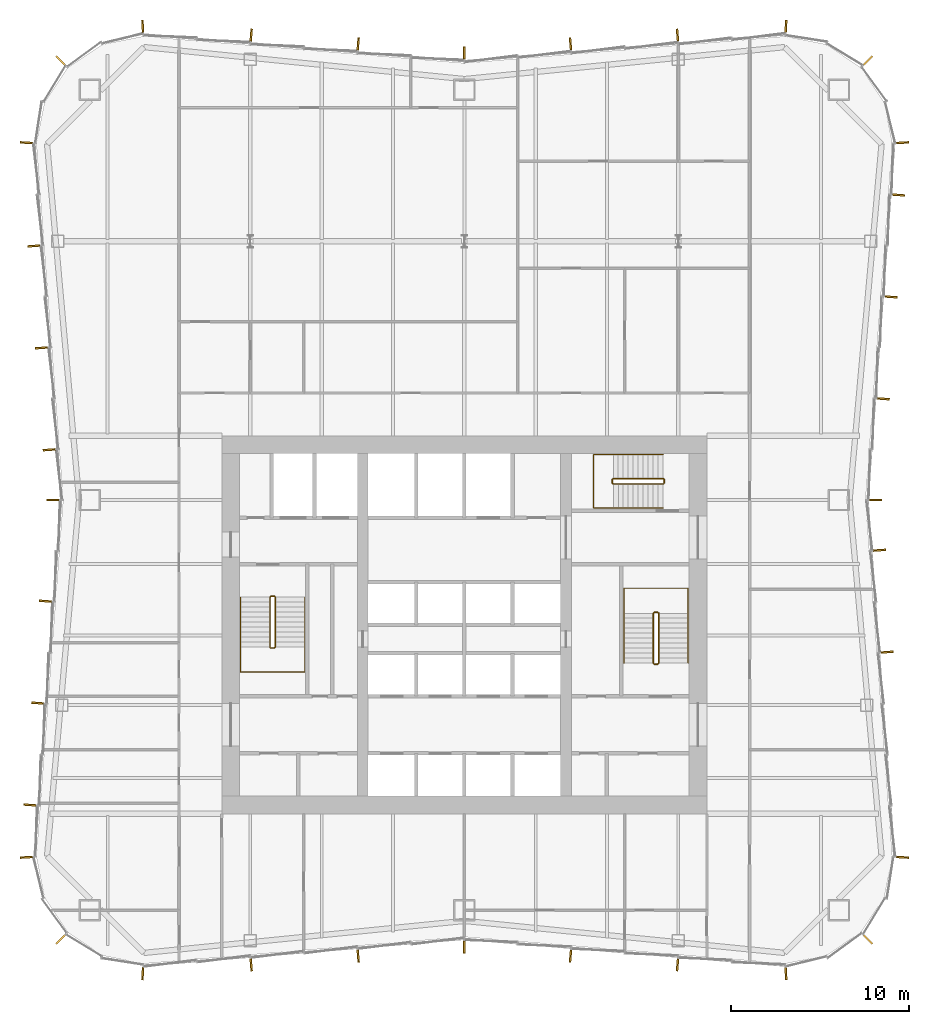
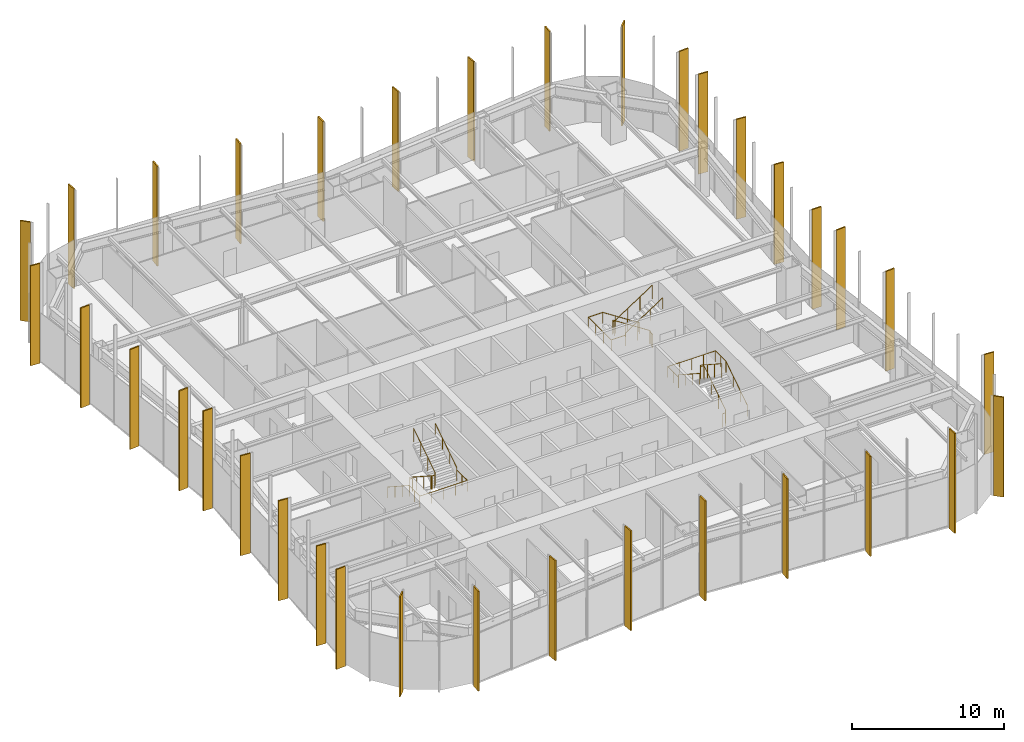
# One storey, part 14 of 14: 35 shading devices, 6 railings.
"""IFC4 building model written with IfcOpenShell, lengths in metres."""

from ifc_helpers import new_model, si_unit, direction, frame, origin, origin_2d, place, context, subcontext, project, spatial, rectangle, circle, extrude, material, layer, layer_set, type_object, element, save


model = new_model("IFC4")

# Units and contexts
model_context = context("Model", 3, precision=1e-05, world=origin(), true_north=direction((0.0, 1.0)))
body_context = subcontext(model_context, "Body", "Model", "MODEL_VIEW")
ifc_project = project(units=[si_unit("LENGTHUNIT", "METRE"), si_unit("AREAUNIT", "SQUARE_METRE"), si_unit("VOLUMEUNIT", "CUBIC_METRE"), si_unit("PLANEANGLEUNIT", "RADIAN"), si_unit("MASSUNIT", "GRAM", prefix="KILO")], contexts=[model_context])

# Site, building, storey
site_placement = place(None, origin())
site = spatial("IfcSite", under=ifc_project, at=site_placement, CompositionType="ELEMENT")
building_placement = place(site_placement, origin())
building = spatial("IfcBuilding", under=site, at=building_placement, Name="Verdant Reach Tower", CompositionType="ELEMENT")
storey_placement = place(building_placement, frame((0.0, 0.0, 162.0)))
storey = spatial("IfcBuildingStorey", under=building, at=storey_placement, Name="L37", CompositionType="ELEMENT", Elevation=162.0)

# Railings
ifc_material_1 = material(Name="Stainless steel", Category="steel")
railing_type_1 = type_object("IfcRailingType", Name="CO-GUARD", PredefinedType="GUARDRAIL", material=ifc_material_1)
railing_1_placement = place(storey_placement, frame((-10.64990234375, 29.60009765625, 0.0)))
element("IfcRailing", 1, at=railing_1_placement, inside=storey, type_object=railing_type_1, Name="L37 ST-1 stair guard 1", PredefinedType="GUARDRAIL", context=body_context, shape_type="SweptSolid", body=[
    extrude(circle(Radius=0.02392578125, at=origin_2d()), frame((0.0, 0.0, 1.076171875), z_axis=(-1.0, 0.0, 0.0), x_axis=(0.0, -1.0, 0.0)), (0.0, 0.0, 1.0), 0.2001953125),
    extrude(circle(Radius=0.02392578125, at=origin_2d()), frame((-0.2001953125, 0.0, 1.076171875), z_axis=(-0.25526617399, -0.256517478764, 0.932222056972), x_axis=(0.708833529934, -0.705375805398, 0.0)), (0.0, 0.0, 1.0), 0.195068359375),
    extrude(circle(Radius=0.02392578125, at=origin_2d()), frame((-0.25, -0.050048828125, 1.2578125), z_axis=(0.0, -0.838705829183, 0.544584733623), x_axis=(1.0, 0.0, 0.0)), (0.0, 0.0, 1.0), 3.338623046875),
    extrude(circle(Radius=0.02392578125, at=origin_2d()), frame((-0.25, -2.85009765625, 3.076171875), z_axis=(0.705375805398, -0.708833529934, 0.0), x_axis=(0.708833529934, 0.705375805398, 0.0)), (0.0, 0.0, 1.0), 0.070556640625),
    extrude(circle(Radius=0.02392578125, at=origin_2d()), frame((-0.2001953125, -2.900146484375, 3.076171875), z_axis=(1.0, 0.0, 0.0), x_axis=(0.0, 1.0, 0.0)), (0.0, 0.0, 1.0), 0.2001953125),
    extrude(circle(Radius=0.02392578125, at=origin_2d()), frame((0.0, -2.900146484375, 3.076171875), z_axis=(0.25526617399, 0.256517478764, 0.932222056972), x_axis=(-0.708833529934, 0.705375805398, 0.0)), (0.0, 0.0, 1.0), 0.195068359375),
    extrude(circle(Radius=0.02392578125, at=origin_2d()), frame((0.0498046875, -2.85009765625, 3.2578125), z_axis=(0.0, 0.838705829183, 0.544584733623), x_axis=(-1.0, 0.0, 0.0)), (0.0, 0.0, 1.0), 3.338623046875),
    extrude(circle(Radius=0.02099609375, at=origin_2d()), origin(), (0.0, 0.0, 1.0), 1.052001953125),
    extrude(circle(Radius=0.02099609375, at=origin_2d()), frame((-0.2001953125, 0.0, 0.0)), (0.0, 0.0, 1.0), 1.052001953125),
    extrude(circle(Radius=0.02099609375, at=origin_2d()), frame((-0.25, -0.050048828125, 0.181884765625)), (0.0, 0.0, 1.0), 1.052001953125),
    extrude(circle(Radius=0.02099609375, at=origin_2d()), frame((-0.25, -0.9833984375, 0.787841796875)), (0.0, 0.0, 1.0), 1.052001953125),
    extrude(circle(Radius=0.02099609375, at=origin_2d()), frame((-0.25, -1.916748046875, 1.39404296875)), (0.0, 0.0, 1.0), 1.052001953125),
    extrude(circle(Radius=0.02099609375, at=origin_2d()), frame((-0.25, -2.85009765625, 2.0)), (0.0, 0.0, 1.0), 1.052001953125),
    extrude(circle(Radius=0.02099609375, at=origin_2d()), frame((-0.2001953125, -2.900146484375, 2.0)), (0.0, 0.0, 1.0), 1.052001953125),
    extrude(circle(Radius=0.02099609375, at=origin_2d()), frame((0.0, -2.900146484375, 2.0)), (0.0, 0.0, 1.0), 1.052001953125),
    extrude(circle(Radius=0.02099609375, at=origin_2d()), frame((0.0498046875, -2.85009765625, 2.181884765625)), (0.0, 0.0, 1.0), 1.052001953125),
    extrude(circle(Radius=0.02099609375, at=origin_2d()), frame((0.0498046875, -1.916748046875, 2.787841796875)), (0.0, 0.0, 1.0), 1.052001953125),
    extrude(circle(Radius=0.02099609375, at=origin_2d()), frame((0.0498046875, -0.9833984375, 3.39404296875)), (0.0, 0.0, 1.0), 1.052001953125),
    extrude(circle(Radius=0.02099609375, at=origin_2d()), frame((0.0498046875, -0.050048828125, 4.0)), (0.0, 0.0, 1.0), 1.052001953125),
])
railing_2_placement = place(storey_placement, frame((10.64990234375, 25.800048828125, 0.0)))
element("IfcRailing", 2, at=railing_2_placement, inside=storey, type_object=railing_type_1, Name="L37 ST-2 stair guard 1", PredefinedType="GUARDRAIL", context=body_context, shape_type="SweptSolid", body=[
    extrude(circle(Radius=0.02392578125, at=origin_2d()), frame((0.0, 0.0, 1.076171875), z_axis=(1.0, 0.0, 0.0), x_axis=(0.0, 1.0, 0.0)), (0.0, 0.0, 1.0), 0.2001953125),
    extrude(circle(Radius=0.02392578125, at=origin_2d()), frame((0.2001953125, 0.0, 1.076171875), z_axis=(0.25526617399, 0.256517478764, 0.932222056972), x_axis=(-0.708833529934, 0.705375805398, 0.0)), (0.0, 0.0, 1.0), 0.195068359375),
    extrude(circle(Radius=0.02392578125, at=origin_2d()), frame((0.25, 0.050048828125, 1.2578125), z_axis=(0.0, 0.83868413941, 0.544618136222), x_axis=(-1.0, 0.0, 0.0)), (0.0, 0.0, 1.0), 3.33837890625),
    extrude(circle(Radius=0.02392578125, at=origin_2d()), frame((0.25, 2.849853515625, 3.076171875), z_axis=(-0.705375805398, 0.708833529934, 0.0), x_axis=(-0.708833529934, -0.705375805398, 0.0)), (0.0, 0.0, 1.0), 0.070556640625),
    extrude(circle(Radius=0.02392578125, at=origin_2d()), frame((0.2001953125, 2.89990234375, 3.076171875), z_axis=(-1.0, 0.0, 0.0), x_axis=(0.0, -1.0, 0.0)), (0.0, 0.0, 1.0), 0.2001953125),
    extrude(circle(Radius=0.02392578125, at=origin_2d()), frame((0.0, 2.89990234375, 3.076171875), z_axis=(-0.25526617399, -0.256517478764, 0.932222056972), x_axis=(0.708833529934, -0.705375805398, 0.0)), (0.0, 0.0, 1.0), 0.195068359375),
    extrude(circle(Radius=0.02392578125, at=origin_2d()), frame((-0.0498046875, 2.849853515625, 3.2578125), z_axis=(0.0, -0.83868413941, 0.544618136222), x_axis=(1.0, 0.0, 0.0)), (0.0, 0.0, 1.0), 3.33837890625),
    extrude(circle(Radius=0.02099609375, at=origin_2d()), origin(), (0.0, 0.0, 1.0), 1.052001953125),
    extrude(circle(Radius=0.02099609375, at=origin_2d()), frame((0.2001953125, 0.0, 0.0)), (0.0, 0.0, 1.0), 1.052001953125),
    extrude(circle(Radius=0.02099609375, at=origin_2d()), frame((0.25, 0.050048828125, 0.181884765625)), (0.0, 0.0, 1.0), 1.052001953125),
    extrude(circle(Radius=0.02099609375, at=origin_2d()), frame((0.25, 0.9833984375, 0.787841796875)), (0.0, 0.0, 1.0), 1.052001953125),
    extrude(circle(Radius=0.02099609375, at=origin_2d()), frame((0.25, 1.91650390625, 1.39404296875)), (0.0, 0.0, 1.0), 1.052001953125),
    extrude(circle(Radius=0.02099609375, at=origin_2d()), frame((0.25, 2.849853515625, 2.0)), (0.0, 0.0, 1.0), 1.052001953125),
    extrude(circle(Radius=0.02099609375, at=origin_2d()), frame((0.2001953125, 2.89990234375, 2.0)), (0.0, 0.0, 1.0), 1.052001953125),
    extrude(circle(Radius=0.02099609375, at=origin_2d()), frame((0.0, 2.89990234375, 2.0)), (0.0, 0.0, 1.0), 1.052001953125),
    extrude(circle(Radius=0.02099609375, at=origin_2d()), frame((-0.0498046875, 2.849853515625, 2.181884765625)), (0.0, 0.0, 1.0), 1.052001953125),
    extrude(circle(Radius=0.02099609375, at=origin_2d()), frame((-0.0498046875, 1.91650390625, 2.787841796875)), (0.0, 0.0, 1.0), 1.052001953125),
    extrude(circle(Radius=0.02099609375, at=origin_2d()), frame((-0.0498046875, 0.9833984375, 3.39404296875)), (0.0, 0.0, 1.0), 1.052001953125),
    extrude(circle(Radius=0.02099609375, at=origin_2d()), frame((-0.0498046875, 0.050048828125, 4.0)), (0.0, 0.0, 1.0), 1.052001953125),
])
railing_3_placement = place(storey_placement, frame((11.199951171875, 35.949951171875, 0.0)))
element("IfcRailing", 3, at=railing_3_placement, inside=storey, type_object=railing_type_1, Name="L37 ST-3 stair guard 1", PredefinedType="GUARDRAIL", context=body_context, shape_type="SweptSolid", body=[
    extrude(circle(Radius=0.02392578125, at=origin_2d()), frame((0.0, 0.0, 1.076171875), z_axis=(0.0, 1.0, 0.0), x_axis=(-1.0, 0.0, 0.0)), (0.0, 0.0, 1.0), 0.199951171875),
    extrude(circle(Radius=0.02392578125, at=origin_2d()), frame((0.0, 0.199951171875, 1.076171875), z_axis=(-0.256435381639, 0.256435381639, 0.931923704005), x_axis=(-0.707106781187, -0.707106781187, 0.0)), (0.0, 0.0, 1.0), 0.195068359375),
    extrude(circle(Radius=0.02392578125, at=origin_2d()), frame((-0.050048828125, 0.25, 1.2578125), z_axis=(-0.83868413941, 0.0, 0.544618136222), x_axis=(0.0, -1.0, 0.0)), (0.0, 0.0, 1.0), 3.33837890625),
    extrude(circle(Radius=0.02392578125, at=origin_2d()), frame((-2.849853515625, 0.25, 3.076171875), z_axis=(-0.707106781187, -0.707106781187, 0.0), x_axis=(0.707106781187, -0.707106781187, 0.0)), (0.0, 0.0, 1.0), 0.07080078125),
    extrude(circle(Radius=0.02392578125, at=origin_2d()), frame((-2.89990234375, 0.199951171875, 3.076171875), z_axis=(0.0, -1.0, 0.0), x_axis=(1.0, 0.0, 0.0)), (0.0, 0.0, 1.0), 0.199951171875),
    extrude(circle(Radius=0.02392578125, at=origin_2d()), frame((-2.89990234375, 0.0, 3.076171875), z_axis=(0.256435381639, -0.256435381639, 0.931923704005), x_axis=(0.707106781187, 0.707106781187, 0.0)), (0.0, 0.0, 1.0), 0.195068359375),
    extrude(circle(Radius=0.02392578125, at=origin_2d()), frame((-2.849853515625, -0.050048828125, 3.2578125), z_axis=(0.83868413941, 0.0, 0.544618136222), x_axis=(0.0, 1.0, 0.0)), (0.0, 0.0, 1.0), 3.33837890625),
    extrude(circle(Radius=0.02099609375, at=origin_2d()), origin(), (0.0, 0.0, 1.0), 1.052001953125),
    extrude(circle(Radius=0.02099609375, at=origin_2d()), frame((0.0, 0.199951171875, 0.0)), (0.0, 0.0, 1.0), 1.052001953125),
    extrude(circle(Radius=0.02099609375, at=origin_2d()), frame((-0.050048828125, 0.25, 0.181884765625)), (0.0, 0.0, 1.0), 1.052001953125),
    extrude(circle(Radius=0.02099609375, at=origin_2d()), frame((-0.9833984375, 0.25, 0.787841796875)), (0.0, 0.0, 1.0), 1.052001953125),
    extrude(circle(Radius=0.02099609375, at=origin_2d()), frame((-1.91650390625, 0.25, 1.39404296875)), (0.0, 0.0, 1.0), 1.052001953125),
    extrude(circle(Radius=0.02099609375, at=origin_2d()), frame((-2.849853515625, 0.25, 2.0)), (0.0, 0.0, 1.0), 1.052001953125),
    extrude(circle(Radius=0.02099609375, at=origin_2d()), frame((-2.89990234375, 0.199951171875, 2.0)), (0.0, 0.0, 1.0), 1.052001953125),
    extrude(circle(Radius=0.02099609375, at=origin_2d()), frame((-2.89990234375, 0.0, 2.0)), (0.0, 0.0, 1.0), 1.052001953125),
    extrude(circle(Radius=0.02099609375, at=origin_2d()), frame((-2.849853515625, -0.050048828125, 2.181884765625)), (0.0, 0.0, 1.0), 1.052001953125),
    extrude(circle(Radius=0.02099609375, at=origin_2d()), frame((-1.91650390625, -0.050048828125, 2.787841796875)), (0.0, 0.0, 1.0), 1.052001953125),
    extrude(circle(Radius=0.02099609375, at=origin_2d()), frame((-0.9833984375, -0.050048828125, 3.39404296875)), (0.0, 0.0, 1.0), 1.052001953125),
    extrude(circle(Radius=0.02099609375, at=origin_2d()), frame((-0.050048828125, -0.050048828125, 4.0)), (0.0, 0.0, 1.0), 1.052001953125),
])
railing_type_2 = type_object("IfcRailingType", Name="CO-HANDRAIL", PredefinedType="HANDRAIL", material=ifc_material_1)
railing_4_placement = place(storey_placement, frame((-12.550048828125, 29.550048828125, 0.181884765625)))
element("IfcRailing", 4, at=railing_4_placement, inside=storey, type_object=railing_type_2, Name="L37 ST-1 stair handrail 1", PredefinedType="HANDRAIL", context=body_context, shape_type="SweptSolid", body=[
    extrude(circle(Radius=0.02392578125, at=origin_2d()), frame((0.0, 0.0, 0.8759765625), z_axis=(0.0, -0.838705829183, 0.544584733623), x_axis=(1.0, 0.0, 0.0)), (0.0, 0.0, 1.0), 3.338623046875),
    extrude(circle(Radius=0.02392578125, at=origin_2d()), frame((0.0, -2.800048828125, 2.69384765625), z_axis=(0.0, -1.0, 0.0), x_axis=(1.0, 0.0, 0.0)), (0.0, 0.0, 1.0), 1.39990234375),
    extrude(circle(Radius=0.02392578125, at=origin_2d()), frame((0.0, -4.199951171875, 2.69384765625), z_axis=(1.0, 0.0, 0.0), x_axis=(0.0, 1.0, 0.0)), (0.0, 0.0, 1.0), 3.60009765625),
    extrude(circle(Radius=0.02392578125, at=origin_2d()), frame((3.60009765625, -4.199951171875, 2.69384765625), z_axis=(0.0, 1.0, 0.0), x_axis=(-1.0, 0.0, 0.0)), (0.0, 0.0, 1.0), 1.39990234375),
    extrude(circle(Radius=0.02392578125, at=origin_2d()), frame((3.60009765625, -2.800048828125, 2.69384765625), z_axis=(0.0, 0.0, 1.0), x_axis=(1.0, 0.0, 0.0)), (0.0, 0.0, 1.0), 0.181884765625),
    extrude(circle(Radius=0.02392578125, at=origin_2d()), frame((3.60009765625, -2.800048828125, 2.8759765625), z_axis=(0.0, 0.838705829183, 0.544584733623), x_axis=(-1.0, 0.0, 0.0)), (0.0, 0.0, 1.0), 3.338623046875),
    extrude(circle(Radius=0.02099609375, at=origin_2d()), origin(), (0.0, 0.0, 1.0), 0.851806640625),
    extrude(circle(Radius=0.02099609375, at=origin_2d()), frame((0.0, -0.933349609375, 0.60595703125)), (0.0, 0.0, 1.0), 0.851806640625),
    extrude(circle(Radius=0.02099609375, at=origin_2d()), frame((0.0, -1.86669921875, 1.212158203125)), (0.0, 0.0, 1.0), 0.851806640625),
    extrude(circle(Radius=0.02099609375, at=origin_2d()), frame((0.0, -2.800048828125, 1.818115234375)), (0.0, 0.0, 1.0), 0.851806640625),
    extrude(circle(Radius=0.02099609375, at=origin_2d()), frame((0.0, -3.5, 1.818115234375)), (0.0, 0.0, 1.0), 0.851806640625),
    extrude(circle(Radius=0.02099609375, at=origin_2d()), frame((0.0, -4.199951171875, 1.818115234375)), (0.0, 0.0, 1.0), 0.851806640625),
    extrude(circle(Radius=0.02099609375, at=origin_2d()), frame((0.89990234375, -4.199951171875, 1.818115234375)), (0.0, 0.0, 1.0), 0.851806640625),
    extrude(circle(Radius=0.02099609375, at=origin_2d()), frame((1.800048828125, -4.199951171875, 1.818115234375)), (0.0, 0.0, 1.0), 0.851806640625),
    extrude(circle(Radius=0.02099609375, at=origin_2d()), frame((2.7001953125, -4.199951171875, 1.818115234375)), (0.0, 0.0, 1.0), 0.851806640625),
    extrude(circle(Radius=0.02099609375, at=origin_2d()), frame((3.60009765625, -4.199951171875, 1.818115234375)), (0.0, 0.0, 1.0), 0.851806640625),
    extrude(circle(Radius=0.02099609375, at=origin_2d()), frame((3.60009765625, -3.5, 1.818115234375)), (0.0, 0.0, 1.0), 0.851806640625),
    extrude(circle(Radius=0.02099609375, at=origin_2d()), frame((3.60009765625, -2.800048828125, 1.818115234375)), (0.0, 0.0, 1.0), 0.851806640625),
    extrude(circle(Radius=0.02099609375, at=origin_2d()), frame((3.60009765625, -2.800048828125, 2.0)), (0.0, 0.0, 1.0), 0.851806640625),
    extrude(circle(Radius=0.02099609375, at=origin_2d()), frame((3.60009765625, -1.86669921875, 2.60595703125)), (0.0, 0.0, 1.0), 0.851806640625),
    extrude(circle(Radius=0.02099609375, at=origin_2d()), frame((3.60009765625, -0.933349609375, 3.212158203125)), (0.0, 0.0, 1.0), 0.851806640625),
    extrude(circle(Radius=0.02099609375, at=origin_2d()), frame((3.60009765625, 0.0, 3.818115234375)), (0.0, 0.0, 1.0), 0.851806640625),
])
railing_5_placement = place(storey_placement, frame((12.550048828125, 25.85009765625, 0.181884765625)))
element("IfcRailing", 5, at=railing_5_placement, inside=storey, type_object=railing_type_2, Name="L37 ST-2 stair handrail 1", PredefinedType="HANDRAIL", context=body_context, shape_type="SweptSolid", body=[
    extrude(circle(Radius=0.02392578125, at=origin_2d()), frame((0.0, 0.0, 0.8759765625), z_axis=(0.0, 0.83868413941, 0.544618136222), x_axis=(-1.0, 0.0, 0.0)), (0.0, 0.0, 1.0), 3.33837890625),
    extrude(circle(Radius=0.02392578125, at=origin_2d()), frame((0.0, 2.7998046875, 2.69384765625), z_axis=(0.0, 1.0, 0.0), x_axis=(-1.0, 0.0, 0.0)), (0.0, 0.0, 1.0), 1.400146484375),
    extrude(circle(Radius=0.02392578125, at=origin_2d()), frame((0.0, 4.199951171875, 2.69384765625), z_axis=(-1.0, 0.0, 0.0), x_axis=(0.0, -1.0, 0.0)), (0.0, 0.0, 1.0), 3.60009765625),
    extrude(circle(Radius=0.02392578125, at=origin_2d()), frame((-3.60009765625, 4.199951171875, 2.69384765625), z_axis=(0.0, -1.0, 0.0), x_axis=(1.0, 0.0, 0.0)), (0.0, 0.0, 1.0), 1.400146484375),
    extrude(circle(Radius=0.02392578125, at=origin_2d()), frame((-3.60009765625, 2.7998046875, 2.69384765625), z_axis=(0.0, 0.0, 1.0), x_axis=(1.0, 0.0, 0.0)), (0.0, 0.0, 1.0), 0.181884765625),
    extrude(circle(Radius=0.02392578125, at=origin_2d()), frame((-3.60009765625, 2.7998046875, 2.8759765625), z_axis=(0.0, -0.83868413941, 0.544618136222), x_axis=(1.0, 0.0, 0.0)), (0.0, 0.0, 1.0), 3.33837890625),
    extrude(circle(Radius=0.02099609375, at=origin_2d()), origin(), (0.0, 0.0, 1.0), 0.851806640625),
    extrude(circle(Radius=0.02099609375, at=origin_2d()), frame((0.0, 0.933349609375, 0.60595703125)), (0.0, 0.0, 1.0), 0.851806640625),
    extrude(circle(Radius=0.02099609375, at=origin_2d()), frame((0.0, 1.866455078125, 1.212158203125)), (0.0, 0.0, 1.0), 0.851806640625),
    extrude(circle(Radius=0.02099609375, at=origin_2d()), frame((0.0, 2.7998046875, 1.818115234375)), (0.0, 0.0, 1.0), 0.851806640625),
    extrude(circle(Radius=0.02099609375, at=origin_2d()), frame((0.0, 3.5, 1.818115234375)), (0.0, 0.0, 1.0), 0.851806640625),
    extrude(circle(Radius=0.02099609375, at=origin_2d()), frame((0.0, 4.199951171875, 1.818115234375)), (0.0, 0.0, 1.0), 0.851806640625),
    extrude(circle(Radius=0.02099609375, at=origin_2d()), frame((-0.89990234375, 4.199951171875, 1.818115234375)), (0.0, 0.0, 1.0), 0.851806640625),
    extrude(circle(Radius=0.02099609375, at=origin_2d()), frame((-1.800048828125, 4.199951171875, 1.818115234375)), (0.0, 0.0, 1.0), 0.851806640625),
    extrude(circle(Radius=0.02099609375, at=origin_2d()), frame((-2.7001953125, 4.199951171875, 1.818115234375)), (0.0, 0.0, 1.0), 0.851806640625),
    extrude(circle(Radius=0.02099609375, at=origin_2d()), frame((-3.60009765625, 4.199951171875, 1.818115234375)), (0.0, 0.0, 1.0), 0.851806640625),
    extrude(circle(Radius=0.02099609375, at=origin_2d()), frame((-3.60009765625, 3.5, 1.818115234375)), (0.0, 0.0, 1.0), 0.851806640625),
    extrude(circle(Radius=0.02099609375, at=origin_2d()), frame((-3.60009765625, 2.7998046875, 1.818115234375)), (0.0, 0.0, 1.0), 0.851806640625),
    extrude(circle(Radius=0.02099609375, at=origin_2d()), frame((-3.60009765625, 2.7998046875, 2.0)), (0.0, 0.0, 1.0), 0.851806640625),
    extrude(circle(Radius=0.02099609375, at=origin_2d()), frame((-3.60009765625, 1.866455078125, 2.60595703125)), (0.0, 0.0, 1.0), 0.851806640625),
    extrude(circle(Radius=0.02099609375, at=origin_2d()), frame((-3.60009765625, 0.933349609375, 3.212158203125)), (0.0, 0.0, 1.0), 0.851806640625),
    extrude(circle(Radius=0.02099609375, at=origin_2d()), frame((-3.60009765625, 0.0, 3.818115234375)), (0.0, 0.0, 1.0), 0.851806640625),
])
railing_6_placement = place(storey_placement, frame((11.14990234375, 37.550048828125, 0.181884765625)))
element("IfcRailing", 6, at=railing_6_placement, inside=storey, type_object=railing_type_2, Name="L37 ST-3 stair handrail 1", PredefinedType="HANDRAIL", context=body_context, shape_type="SweptSolid", body=[
    extrude(circle(Radius=0.02392578125, at=origin_2d()), frame((0.0, 0.0, 0.8759765625), z_axis=(-0.83868413941, 0.0, 0.544618136222), x_axis=(0.0, -1.0, 0.0)), (0.0, 0.0, 1.0), 3.33837890625),
    extrude(circle(Radius=0.02392578125, at=origin_2d()), frame((-2.7998046875, 0.0, 2.69384765625), z_axis=(-1.0, 0.0, 0.0), x_axis=(0.0, -1.0, 0.0)), (0.0, 0.0, 1.0), 1.10009765625),
    extrude(circle(Radius=0.02392578125, at=origin_2d()), frame((-3.89990234375, 0.0, 2.69384765625), z_axis=(0.0, -1.0, 0.0), x_axis=(1.0, 0.0, 0.0)), (0.0, 0.0, 1.0), 3.0),
    extrude(circle(Radius=0.02392578125, at=origin_2d()), frame((-3.89990234375, -3.0, 2.69384765625), z_axis=(1.0, 0.0, 0.0), x_axis=(0.0, 1.0, 0.0)), (0.0, 0.0, 1.0), 1.10009765625),
    extrude(circle(Radius=0.02392578125, at=origin_2d()), frame((-2.7998046875, -3.0, 2.69384765625), z_axis=(0.0, 0.0, 1.0), x_axis=(1.0, 0.0, 0.0)), (0.0, 0.0, 1.0), 0.181884765625),
    extrude(circle(Radius=0.02392578125, at=origin_2d()), frame((-2.7998046875, -3.0, 2.8759765625), z_axis=(0.83868413941, 0.0, 0.544618136222), x_axis=(0.0, 1.0, 0.0)), (0.0, 0.0, 1.0), 3.33837890625),
    extrude(circle(Radius=0.02099609375, at=origin_2d()), origin(), (0.0, 0.0, 1.0), 0.851806640625),
    extrude(circle(Radius=0.02099609375, at=origin_2d()), frame((-0.933349609375, 0.0, 0.60595703125)), (0.0, 0.0, 1.0), 0.851806640625),
    extrude(circle(Radius=0.02099609375, at=origin_2d()), frame((-1.866455078125, 0.0, 1.212158203125)), (0.0, 0.0, 1.0), 0.851806640625),
    extrude(circle(Radius=0.02099609375, at=origin_2d()), frame((-2.7998046875, 0.0, 1.818115234375)), (0.0, 0.0, 1.0), 0.851806640625),
    extrude(circle(Radius=0.02099609375, at=origin_2d()), frame((-3.89990234375, 0.0, 1.818115234375)), (0.0, 0.0, 1.0), 0.851806640625),
    extrude(circle(Radius=0.02099609375, at=origin_2d()), frame((-3.89990234375, -1.0, 1.818115234375)), (0.0, 0.0, 1.0), 0.851806640625),
    extrude(circle(Radius=0.02099609375, at=origin_2d()), frame((-3.89990234375, -2.0, 1.818115234375)), (0.0, 0.0, 1.0), 0.851806640625),
    extrude(circle(Radius=0.02099609375, at=origin_2d()), frame((-3.89990234375, -3.0, 1.818115234375)), (0.0, 0.0, 1.0), 0.851806640625),
    extrude(circle(Radius=0.02099609375, at=origin_2d()), frame((-2.7998046875, -3.0, 1.818115234375)), (0.0, 0.0, 1.0), 0.851806640625),
    extrude(circle(Radius=0.02099609375, at=origin_2d()), frame((-2.7998046875, -3.0, 2.0)), (0.0, 0.0, 1.0), 0.851806640625),
    extrude(circle(Radius=0.02099609375, at=origin_2d()), frame((-1.866455078125, -3.0, 2.60595703125)), (0.0, 0.0, 1.0), 0.851806640625),
    extrude(circle(Radius=0.02099609375, at=origin_2d()), frame((-0.933349609375, -3.0, 3.212158203125)), (0.0, 0.0, 1.0), 0.851806640625),
    extrude(circle(Radius=0.02099609375, at=origin_2d()), frame((0.0, -3.0, 3.818115234375)), (0.0, 0.0, 1.0), 0.851806640625),
])

# Shading devices
ifc_material_2 = material(Name="Bronze fin, champagne", Category="aluminium")
ifc_layer_1 = layer(ifc_material_2, 0.10009765625)
ifc_layer_set_1 = layer_set([ifc_layer_1], Name="EN-FIN CHAMPAGNE")
shading_device_type_1 = type_object("IfcShadingDeviceType", Name="EN-FIN CHAMPAGNE", PredefinedType="USERDEFINED", material=ifc_layer_set_1)
for number, where, z_axis, x_axis, name in (
    (7, (22.639892578125, 10.360107421875, -0.35009765625), (0.0, 0.0, 1.0), (0.707106781187, 0.707106781187, 0.0), "Fin south-east corner 3, L37"),
    (8, (24.56103515625, 14.9658203125, -0.35009765625), (0.0, 0.0, 1.0), (0.060702752526, 0.998155887542, 0.0), "Fin east face part 1 1, L37"),
    (9, (23.489013671875, 40.67236328125, -0.35009765625), (0.0, 0.0, 1.0), (0.074789948245, 0.997199309888, 0.0), "Fin east face part 2 3, L37"),
    (10, (24.56103515625, 55.0341796875, -0.35009765625), (0.0, 0.0, 1.0), (-0.060702752526, 0.998155887542, 0.0), "Fin north-east corner 1, L37"),
    (11, (0.0, 60.06201171875, -0.35009765625), (0.0, 0.0, 1.0), (-1.0, 0.0, 0.0), "Fin north face part 2 1, L37"),
    (12, (-23.703369140625, 43.529296875, -0.35009765625), (0.0, 0.0, 1.0), (0.074789948245, -0.997199309888, 0.0), "Fin west face part 1 5, L37"),
    (13, (-24.34619140625, 17.899169921875, -0.35009765625), (0.0, 0.0, 1.0), (-0.074789948245, -0.997199309888, 0.0), "Fin west face part 2 7, L37"),
    (14, (-11.953369140625, 8.93994140625, -0.35009765625), (0.0, 0.0, 1.0), (0.996545758244, 0.083045479859, 0.0), "Fin south face part 1 3, L37"),
    (15, (11.953369140625, 8.93994140625, -0.35009765625), (0.0, 0.0, 1.0), (0.996545758244, -0.083045479859, 0.0), "Fin south face part 2 5, L37"),
):
    element("IfcShadingDevice", number, at=place(storey_placement, frame(where, z_axis=z_axis, x_axis=x_axis)), inside=storey, type_object=shading_device_type_1, Name=name, ObjectType="FIN", PredefinedType="USERDEFINED", context=body_context, shape_type="SweptSolid", body=[
        extrude(rectangle(XDim=0.10009765625, YDim=0.699951171875, at=origin_2d()), origin(), (0.0, 0.0, 1.0), 8.0),
    ])
ifc_material_3 = material(Name="Bronze fin, copper", Category="aluminium")
ifc_layer_2 = layer(ifc_material_3, 0.10009765625)
ifc_layer_set_2 = layer_set([ifc_layer_2], Name="EN-FIN COPPER")
shading_device_type_2 = type_object("IfcShadingDeviceType", Name="EN-FIN COPPER", PredefinedType="USERDEFINED", material=ifc_layer_set_2)
for number, where, z_axis, x_axis, name in (
    (16, (23.91748046875, 46.386474609375, -0.35009765625), (0.0, 0.0, 1.0), (0.074789948245, 0.997199309888, 0.0), "Fin east face part 2 5, L37"),
    (17, (22.639892578125, 59.639892578125, -0.35009765625), (0.0, 0.0, 1.0), (-0.707106781187, 0.707106781187, 0.0), "Fin north-east corner 3, L37"),
    (18, (18.03173828125, 61.56103515625, -0.35009765625), (0.0, 0.0, 1.0), (-0.998398681387, 0.056569187765, 0.0), "Fin north face part 1 1, L37"),
    (19, (11.953369140625, 61.06005859375, -0.35009765625), (0.0, 0.0, 1.0), (-0.996545758244, -0.083045479859, 0.0), "Fin north face part 1 3, L37"),
    (20, (-5.953369140625, 60.56005859375, -0.35009765625), (0.0, 0.0, 1.0), (-0.996545758244, 0.083045479859, 0.0), "Fin north face part 2 3, L37"),
    (21, (-18.03173828125, 61.56103515625, -0.35009765625), (0.0, 0.0, 1.0), (-0.998398681387, -0.056569187765, 0.0), "Fin north-west corner 1, L37"),
    (22, (-22.639892578125, 59.639892578125, -0.35009765625), (0.0, 0.0, 1.0), (-0.707106781187, -0.707106781187, 0.0), "Fin north-west corner 3, L37"),
    (23, (-24.56103515625, 55.0341796875, -0.35009765625), (0.0, 0.0, 1.0), (-0.060702752526, -0.998155887542, 0.0), "Fin west face part 1 1, L37"),
    (24, (-23.274658203125, 37.815185546875, -0.35009765625), (0.0, 0.0, 1.0), (0.074789948245, -0.997199309888, 0.0), "Fin west face part 1 7, L37"),
    (25, (-23.06201171875, 35.0, -0.35009765625), (0.0, 0.0, 1.0), (0.0, -1.0, 0.0), "Fin west face part 2 1, L37"),
    (26, (-24.56103515625, 14.9658203125, -0.35009765625), (0.0, 0.0, 1.0), (0.060702752526, -0.998155887542, 0.0), "Fin south-west corner 1, L37"),
    (27, (-5.953369140625, 9.43994140625, -0.35009765625), (0.0, 0.0, 1.0), (0.996545758244, 0.083045479859, 0.0), "Fin south face part 1 5, L37"),
):
    element("IfcShadingDevice", number, at=place(storey_placement, frame(where, z_axis=z_axis, x_axis=x_axis)), inside=storey, type_object=shading_device_type_2, Name=name, ObjectType="FIN", PredefinedType="USERDEFINED", context=body_context, shape_type="SweptSolid", body=[
        extrude(rectangle(XDim=0.10009765625, YDim=0.699951171875, at=origin_2d()), origin(), (0.0, 0.0, 1.0), 8.0),
    ])
ifc_material_4 = material(Name="Bronze fin, dark bronze", Category="aluminium")
ifc_layer_3 = layer(ifc_material_4, 0.10009765625)
ifc_layer_set_3 = layer_set([ifc_layer_3], Name="EN-FIN DARK")
shading_device_type_3 = type_object("IfcShadingDeviceType", Name="EN-FIN DARK", PredefinedType="USERDEFINED", material=ifc_layer_set_3)
for number, where, z_axis, x_axis, name in (
    (28, (18.03173828125, 8.43896484375, -0.35009765625), (0.0, 0.0, 1.0), (0.998398681387, 0.056569187765, 0.0), "Fin south-east corner 1, L37"),
    (29, (23.703369140625, 26.470703125, -0.35009765625), (0.0, 0.0, 1.0), (-0.074789948245, 0.997199309888, 0.0), "Fin east face part 1 5, L37"),
    (30, (23.274658203125, 32.184814453125, -0.35009765625), (0.0, 0.0, 1.0), (-0.074789948245, 0.997199309888, 0.0), "Fin east face part 1 7, L37"),
    (31, (23.06201171875, 35.0, -0.35009765625), (0.0, 0.0, 1.0), (0.0, 1.0, 0.0), "Fin east face part 2 1, L37"),
    (32, (24.34619140625, 52.100830078125, -0.35009765625), (0.0, 0.0, 1.0), (0.074789948245, 0.997199309888, 0.0), "Fin east face part 2 7, L37"),
    (33, (5.953369140625, 60.56005859375, -0.35009765625), (0.0, 0.0, 1.0), (-0.996545758244, -0.083045479859, 0.0), "Fin north face part 1 5, L37"),
    (34, (-11.953369140625, 61.06005859375, -0.35009765625), (0.0, 0.0, 1.0), (-0.996545758244, 0.083045479859, 0.0), "Fin north face part 2 5, L37"),
    (35, (-24.1318359375, 49.24365234375, -0.35009765625), (0.0, 0.0, 1.0), (0.074789948245, -0.997199309888, 0.0), "Fin west face part 1 3, L37"),
    (36, (-23.489013671875, 29.32763671875, -0.35009765625), (0.0, 0.0, 1.0), (-0.074789948245, -0.997199309888, 0.0), "Fin west face part 2 3, L37"),
    (37, (-23.91748046875, 23.613525390625, -0.35009765625), (0.0, 0.0, 1.0), (-0.074789948245, -0.997199309888, 0.0), "Fin west face part 2 5, L37"),
    (38, (-22.639892578125, 10.360107421875, -0.35009765625), (0.0, 0.0, 1.0), (0.707106781187, -0.707106781187, 0.0), "Fin south-west corner 3, L37"),
    (39, (-18.03173828125, 8.43896484375, -0.35009765625), (0.0, 0.0, 1.0), (0.998398681387, -0.056569187765, 0.0), "Fin south face part 1 1, L37"),
    (40, (0.0, 9.93798828125, -0.35009765625), (0.0, 0.0, 1.0), (1.0, 0.0, 0.0), "Fin south face part 2 1, L37"),
    (41, (5.953369140625, 9.43994140625, -0.35009765625), (0.0, 0.0, 1.0), (0.996545758244, -0.083045479859, 0.0), "Fin south face part 2 3, L37"),
):
    element("IfcShadingDevice", number, at=place(storey_placement, frame(where, z_axis=z_axis, x_axis=x_axis)), inside=storey, type_object=shading_device_type_3, Name=name, ObjectType="FIN", PredefinedType="USERDEFINED", context=body_context, shape_type="SweptSolid", body=[
        extrude(rectangle(XDim=0.10009765625, YDim=0.699951171875, at=origin_2d()), origin(), (0.0, 0.0, 1.0), 8.0),
    ])

save(model, "model.ifc")
